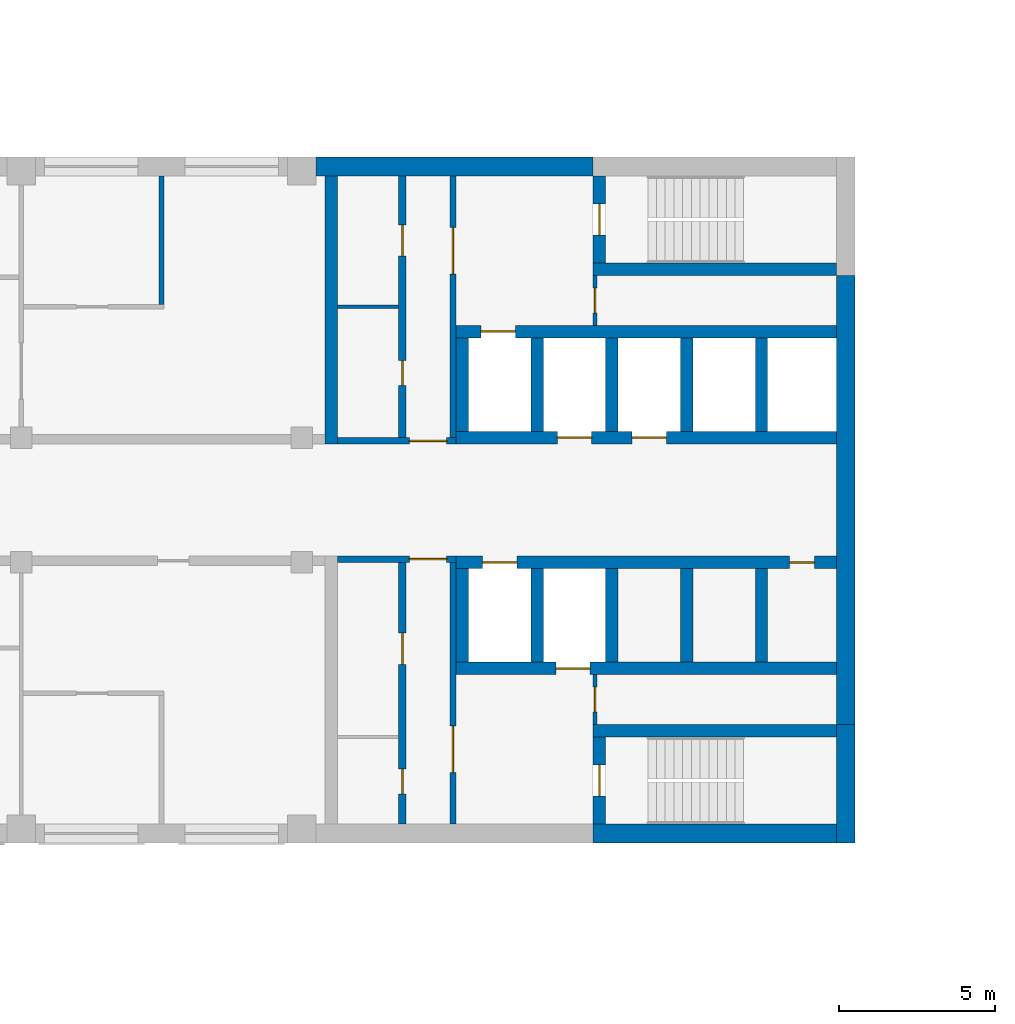
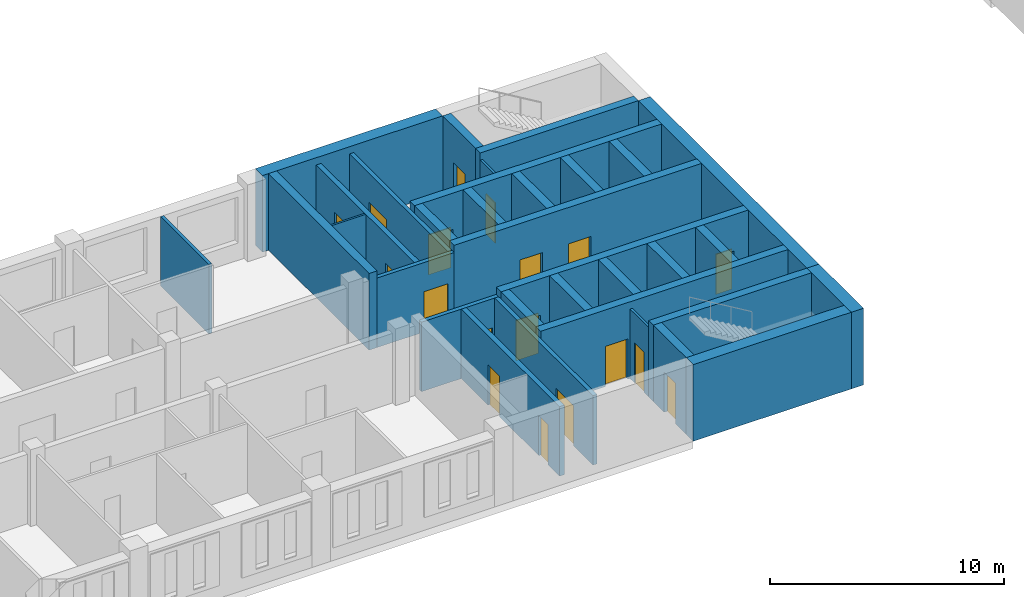
# One storey, part 6 of 12: 33 walls, 18 doors, 18 openings.
"""IFC4 building model written with IfcOpenShell, lengths in metres."""

from ifc_helpers import new_model, si_unit, direction, frame, frame_2d, origin, place, context, subcontext, project, spatial, rectangle, extrude, material, layer, layer_set, type_object, element, fill, save


model = new_model("IFC4")

# Units and contexts
model_context = context("Model", 3, precision=1e-05, world=origin(), true_north=direction((0.0, 1.0)))
body_context = subcontext(model_context, "Body", "Model", "MODEL_VIEW")
ifc_project = project(units=[si_unit("LENGTHUNIT", "METRE"), si_unit("AREAUNIT", "SQUARE_METRE"), si_unit("VOLUMEUNIT", "CUBIC_METRE"), si_unit("PLANEANGLEUNIT", "RADIAN"), si_unit("MASSUNIT", "GRAM", prefix="KILO")], contexts=[model_context])

# Site, building, storey
site_placement = place(None, origin())
site = spatial("IfcSite", under=ifc_project, at=site_placement, CompositionType="ELEMENT")
building_placement = place(site_placement, origin())
building = spatial("IfcBuilding", under=site, at=building_placement, Name="Skarvind Civic Tower", CompositionType="ELEMENT")
storey_placement = place(building_placement, frame((0.0, 0.0, 63.5)))
storey = spatial("IfcBuildingStorey", under=building, at=storey_placement, Name="L14", CompositionType="ELEMENT", Elevation=63.5)

# Wall, opening, door
ifc_material_1 = material(Name="Fire-rated masonry partition", Category="masonry")
ifc_layer_1 = layer(ifc_material_1, 0.199951171875)
ifc_layer_set_1 = layer_set([ifc_layer_1], Name="Core enclosure wall 200")
wall_type_1 = type_object("IfcWallType", Name="Core enclosure wall 200", PredefinedType="PARTITIONING", material=ifc_layer_set_1)
wall_1_placement = place(storey_placement, frame((95.199951171875, 126.10009765625, 0.0), z_axis=(0.0, 0.0, 1.0), x_axis=(-1.0, 0.0, 0.0)))
wall_1 = element("IfcWall", 1, at=wall_1_placement, inside=storey, type_object=wall_type_1, Name="Core wall C1", PredefinedType="PARTITIONING", context=body_context, shape_type="SweptSolid", body=[
    extrude(rectangle(XDim=3.800048828125, YDim=0.199951171875, at=frame_2d((1.89990234375, 0.0))), origin(), (0.0, 0.0, 1.0), 3.625),
])
opening_1_placement = place(wall_1_placement, frame((0.300048828125, 0.0, 0.0)))
opening_1 = element("IfcOpeningElement", 2, at=opening_1_placement, cuts=wall_1, Name="Opening D-L14-C1-05", PredefinedType="OPENING", context=body_context, shape_type="SweptSolid", body=[
    extrude(rectangle(XDim=1.199951171875, YDim=2.10009765625, at=frame_2d((0.60009765625, 1.050048828125))), frame((0.0, 0.10986328125, 0.0), z_axis=(0.0, -1.0, 0.0), x_axis=(1.0, 0.0, 0.0)), (0.0, 0.0, 1.0), 0.219970703125),
])
ifc_material_2 = material(Name="Fire-rated steel door", Category="steel")
door_type_1 = type_object("IfcDoorType", Name="Core lobby door 1200", OperationType="NOTDEFINED", PredefinedType="DOOR", material=ifc_material_2)
door_1_placement = place(opening_1_placement, origin())
door_1 = element("IfcDoor", 3, at=door_1_placement, inside=storey, type_object=door_type_1, Name="Fire door", OperationType="DOUBLE_DOOR_SINGLE_SWING", OverallHeight=2.10009765625, OverallWidth=1.199951171875, PredefinedType="DOOR", context=body_context, shape_type="SweptSolid", body=[
    extrude(rectangle(XDim=1.199951171875, YDim=2.10009765625, at=frame_2d((0.60009765625, 1.050048828125))), frame((0.0, 0.02490234375, 0.0), z_axis=(0.0, -1.0, 0.0), x_axis=(1.0, 0.0, 0.0)), (0.0, 0.0, 1.0), 0.050048828125),
])
fill(opening_1, door_1)

wall_2_placement = place(storey_placement, frame((95.10009765625, 117.60009765625, 0.0), z_axis=(0.0, 0.0, 1.0), x_axis=(0.0, 1.0, 0.0)))
wall_2 = element("IfcWall", 4, at=wall_2_placement, inside=storey, type_object=wall_type_1, Name="Core wall C1", PredefinedType="PARTITIONING", context=body_context, shape_type="SweptSolid", body=[
    extrude(rectangle(XDim=8.39990234375, YDim=0.199951171875, at=frame_2d((4.199951171875, 0.0))), origin(), (0.0, 0.0, 1.0), 3.625),
])
opening_2_placement = place(wall_2_placement, frame((1.64990234375, 0.0, 0.0)))
opening_2 = element("IfcOpeningElement", 5, at=opening_2_placement, cuts=wall_2, Name="Opening D-L14-C1-06", PredefinedType="OPENING", context=body_context, shape_type="SweptSolid", body=[
    extrude(rectangle(XDim=1.5, YDim=2.10009765625, at=frame_2d((0.75, 1.050048828125))), frame((0.0, 0.10986328125, 0.0), z_axis=(0.0, -1.0, 0.0), x_axis=(1.0, 0.0, 0.0)), (0.0, 0.0, 1.0), 0.219970703125),
])
door_type_2 = type_object("IfcDoorType", Name="Fire door 1500", OperationType="NOTDEFINED", PredefinedType="DOOR", material=ifc_material_2)
door_2_placement = place(opening_2_placement, origin())
door_2 = element("IfcDoor", 6, at=door_2_placement, inside=storey, type_object=door_type_2, Name="Fire door", OperationType="DOUBLE_DOOR_SINGLE_SWING", OverallHeight=2.10009765625, OverallWidth=1.5, PredefinedType="DOOR", context=body_context, shape_type="SweptSolid", body=[
    extrude(rectangle(XDim=1.5, YDim=2.10009765625, at=frame_2d((0.75, 1.050048828125))), frame((0.0, 0.02490234375, 0.0), z_axis=(0.0, -1.0, 0.0), x_axis=(1.0, 0.0, 0.0)), (0.0, 0.0, 1.0), 0.050048828125),
])
fill(opening_2, door_2)

wall_3_placement = place(storey_placement, frame((91.39990234375, 129.89990234375, 0.0), z_axis=(0.0, 0.0, 1.0), x_axis=(1.0, 0.0, 0.0)))
wall_3 = element("IfcWall", 7, at=wall_3_placement, inside=storey, type_object=wall_type_1, Name="Core wall C1", PredefinedType="PARTITIONING", context=body_context, shape_type="SweptSolid", body=[
    extrude(rectangle(XDim=3.800048828125, YDim=0.199951171875, at=frame_2d((1.89990234375, 0.0))), origin(), (0.0, 0.0, 1.0), 3.625),
])
opening_3_placement = place(wall_3_placement, frame((2.300048828125, 0.0, 0.0)))
opening_3 = element("IfcOpeningElement", 8, at=opening_3_placement, cuts=wall_3, Name="Opening D-L14-C1-11", PredefinedType="OPENING", context=body_context, shape_type="SweptSolid", body=[
    extrude(rectangle(XDim=1.199951171875, YDim=2.10009765625, at=frame_2d((0.60009765625, 1.050048828125))), frame((0.0, 0.10986328125, 0.0), z_axis=(0.0, -1.0, 0.0), x_axis=(1.0, 0.0, 0.0)), (0.0, 0.0, 1.0), 0.219970703125),
])
door_3_placement = place(opening_3_placement, origin())
door_3 = element("IfcDoor", 9, at=door_3_placement, inside=storey, type_object=door_type_1, Name="Fire door", OperationType="DOUBLE_DOOR_SINGLE_SWING", OverallHeight=2.10009765625, OverallWidth=1.199951171875, PredefinedType="DOOR", context=body_context, shape_type="SweptSolid", body=[
    extrude(rectangle(XDim=1.199951171875, YDim=2.10009765625, at=frame_2d((0.60009765625, 1.050048828125))), frame((0.0, 0.02490234375, 0.0), z_axis=(0.0, -1.0, 0.0), x_axis=(1.0, 0.0, 0.0)), (0.0, 0.0, 1.0), 0.050048828125),
])
fill(opening_3, door_3)

wall_4_placement = place(storey_placement, frame((95.10009765625, 130.0, 0.0), z_axis=(0.0, 0.0, 1.0), x_axis=(0.0, 1.0, 0.0)))
wall_4 = element("IfcWall", 10, at=wall_4_placement, inside=storey, type_object=wall_type_1, Name="Core wall C1", PredefinedType="PARTITIONING", context=body_context, shape_type="SweptSolid", body=[
    extrude(rectangle(XDim=8.39990234375, YDim=0.199951171875, at=frame_2d((4.199951171875, 0.0))), origin(), (0.0, 0.0, 1.0), 3.625),
])
opening_4_placement = place(wall_4_placement, frame((5.25, 0.0, 0.0)))
opening_4 = element("IfcOpeningElement", 11, at=opening_4_placement, cuts=wall_4, Name="Opening D-L14-C1-12", PredefinedType="OPENING", context=body_context, shape_type="SweptSolid", body=[
    extrude(rectangle(XDim=1.5, YDim=2.10009765625, at=frame_2d((0.75, 1.050048828125))), frame((0.0, 0.10986328125, 0.0), z_axis=(0.0, -1.0, 0.0), x_axis=(1.0, 0.0, 0.0)), (0.0, 0.0, 1.0), 0.219970703125),
])
door_4_placement = place(opening_4_placement, origin())
door_4 = element("IfcDoor", 12, at=door_4_placement, inside=storey, type_object=door_type_2, Name="Fire door", OperationType="DOUBLE_DOOR_SINGLE_SWING", OverallHeight=2.10009765625, OverallWidth=1.5, PredefinedType="DOOR", context=body_context, shape_type="SweptSolid", body=[
    extrude(rectangle(XDim=1.5, YDim=2.10009765625, at=frame_2d((0.75, 1.050048828125))), frame((0.0, 0.02490234375, 0.0), z_axis=(0.0, -1.0, 0.0), x_axis=(1.0, 0.0, 0.0)), (0.0, 0.0, 1.0), 0.050048828125),
])
fill(opening_4, door_4)

# Walls
ifc_material_3 = material(Name="Fire-rated plasterboard partition")
ifc_layer_2 = layer(ifc_material_3, 0.10009765625)
ifc_layer_set_2 = layer_set([ifc_layer_2], Name="Core partition wall 100")
wall_type_2 = type_object("IfcWallType", Name="Core partition wall 100", PredefinedType="PARTITIONING", material=ifc_layer_set_2)
wall_5_placement = place(storey_placement, frame((91.39990234375, 134.199951171875, 0.0), z_axis=(0.0, 0.0, 1.0), x_axis=(1.0, 0.0, 0.0)))
element("IfcWall", 13, at=wall_5_placement, inside=storey, type_object=wall_type_2, Name="Core wall C1", PredefinedType="PARTITIONING", context=body_context, shape_type="SweptSolid", body=[
    extrude(rectangle(XDim=1.9501953125, YDim=0.10009765625, at=frame_2d((0.97509765625, 0.0))), origin(), (0.0, 0.0, 1.0), 3.625),
])
ifc_material_4 = material(Name="Concrete C80", Category="concrete")
ifc_layer_3 = layer(ifc_material_4, 0.39990234375)
ifc_layer_set_3 = layer_set([ifc_layer_3], Name="Core wall 400 C80")
wall_type_3 = type_object("IfcWallType", Name="Core wall 400 C80", PredefinedType="SHEAR", material=ifc_layer_set_3)
wall_6_placement = place(storey_placement, frame((107.39990234375, 135.39990234375, 0.0), z_axis=(0.0, 0.0, 1.0), x_axis=(-1.0, 0.0, 0.0)))
element("IfcWall", 14, at=wall_6_placement, inside=storey, type_object=wall_type_3, Name="Core wall C1 south stair inner L14", PredefinedType="SHEAR", context=body_context, shape_type="SweptSolid", body=[
    extrude(rectangle(XDim=7.7998046875, YDim=0.39990234375, at=frame_2d((3.89990234375, 0.0))), origin(), (0.0, 0.0, 1.0), 4.0),
])

# Wall, opening, door
wall_7_placement = place(storey_placement, frame((99.800048828125, 138.39990234375, 0.0), z_axis=(0.0, 0.0, 1.0), x_axis=(0.0, -1.0, 0.0)))
wall_7 = element("IfcWall", 15, at=wall_7_placement, inside=storey, type_object=wall_type_3, Name="Core wall C1 south stair end L14", PredefinedType="SHEAR", context=body_context, shape_type="SweptSolid", body=[
    extrude(rectangle(XDim=2.7998046875, YDim=0.39990234375, at=frame_2d((1.39990234375, 0.0))), origin(), (0.0, 0.0, 1.0), 4.0),
])
opening_5_placement = place(wall_7_placement, frame((0.89990234375, 0.0, 0.0)))
opening_5 = element("IfcOpeningElement", 16, at=opening_5_placement, cuts=wall_7, Name="Opening D-L14-C1-13", PredefinedType="OPENING", context=body_context, shape_type="SweptSolid", body=[
    extrude(rectangle(XDim=1.0, YDim=2.10009765625, at=frame_2d((0.5, 1.050048828125))), frame((0.0, 0.2099609375, 0.0), z_axis=(0.0, -1.0, 0.0), x_axis=(1.0, 0.0, 0.0)), (0.0, 0.0, 1.0), 0.419921875),
])
door_type_3 = type_object("IfcDoorType", Name="Fire door 1000", OperationType="NOTDEFINED", PredefinedType="DOOR", material=ifc_material_2)
door_5_placement = place(opening_5_placement, origin())
door_5 = element("IfcDoor", 17, at=door_5_placement, inside=storey, type_object=door_type_3, Name="Fire door", OperationType="SINGLE_SWING_RIGHT", OverallHeight=2.10009765625, OverallWidth=1.0, PredefinedType="DOOR", context=body_context, shape_type="SweptSolid", body=[
    extrude(rectangle(XDim=1.0, YDim=2.10009765625, at=frame_2d((0.5, 1.050048828125))), frame((0.0, 0.02490234375, 0.0), z_axis=(0.0, -1.0, 0.0), x_axis=(1.0, 0.0, 0.0)), (0.0, 0.0, 1.0), 0.050048828125),
])
fill(opening_5, door_5)

# Wall
wall_8_placement = place(storey_placement, frame((107.39990234375, 120.60009765625, 0.0), z_axis=(0.0, 0.0, 1.0), x_axis=(-1.0, 0.0, 0.0)))
element("IfcWall", 18, at=wall_8_placement, inside=storey, type_object=wall_type_3, Name="Core wall C1 north stair inner L14", PredefinedType="SHEAR", context=body_context, shape_type="SweptSolid", body=[
    extrude(rectangle(XDim=7.7998046875, YDim=0.39990234375, at=frame_2d((3.89990234375, 0.0))), origin(), (0.0, 0.0, 1.0), 4.0),
])

# Wall, opening, door
wall_9_placement = place(storey_placement, frame((99.800048828125, 120.39990234375, 0.0), z_axis=(0.0, 0.0, 1.0), x_axis=(0.0, -1.0, 0.0)))
wall_9 = element("IfcWall", 19, at=wall_9_placement, inside=storey, type_object=wall_type_3, Name="Core wall C1 north stair end L14", PredefinedType="SHEAR", context=body_context, shape_type="SweptSolid", body=[
    extrude(rectangle(XDim=2.7998046875, YDim=0.39990234375, at=frame_2d((1.39990234375, 0.0))), origin(), (0.0, 0.0, 1.0), 4.0),
])
opening_6_placement = place(wall_9_placement, frame((0.89990234375, 0.0, 0.0)))
opening_6 = element("IfcOpeningElement", 20, at=opening_6_placement, cuts=wall_9, Name="Opening D-L14-C1-07", PredefinedType="OPENING", context=body_context, shape_type="SweptSolid", body=[
    extrude(rectangle(XDim=1.0, YDim=2.10009765625, at=frame_2d((0.5, 1.050048828125))), frame((0.0, 0.2099609375, 0.0), z_axis=(0.0, -1.0, 0.0), x_axis=(1.0, 0.0, 0.0)), (0.0, 0.0, 1.0), 0.419921875),
])
door_6_placement = place(opening_6_placement, origin())
door_6 = element("IfcDoor", 21, at=door_6_placement, inside=storey, type_object=door_type_3, Name="Fire door", OperationType="SINGLE_SWING_LEFT", OverallHeight=2.10009765625, OverallWidth=1.0, PredefinedType="DOOR", context=body_context, shape_type="SweptSolid", body=[
    extrude(rectangle(XDim=1.0, YDim=2.10009765625, at=frame_2d((0.5, 1.050048828125))), frame((0.0, 0.02490234375, 0.0), z_axis=(0.0, -1.0, 0.0), x_axis=(1.0, 0.0, 0.0)), (0.0, 0.0, 1.0), 0.050048828125),
])
fill(opening_6, door_6)

# Wall, openings, doors
wall_10_placement = place(storey_placement, frame((107.39990234375, 130.0, 0.0), z_axis=(0.0, 0.0, 1.0), x_axis=(-1.0, 0.0, 0.0)))
wall_10 = element("IfcWall", 22, at=wall_10_placement, inside=storey, type_object=wall_type_3, Name="Core wall C1 south lift row front L14", PredefinedType="SHEAR", context=body_context, shape_type="SweptSolid", body=[
    extrude(rectangle(XDim=12.199951171875, YDim=0.39990234375, at=frame_2d((6.10009765625, 0.0))), origin(), (0.0, 0.0, 1.0), 4.0),
])
opening_7_placement = place(wall_10_placement, frame((5.449951171875, 0.0, 0.0)))
opening_7 = element("IfcOpeningElement", 23, at=opening_7_placement, cuts=wall_10, Name="Opening LD16108", PredefinedType="OPENING", context=body_context, shape_type="SweptSolid", body=[
    extrude(rectangle(XDim=1.10009765625, YDim=2.10009765625, at=frame_2d((0.550048828125, 1.050048828125))), frame((0.0, 0.2099609375, 0.0), z_axis=(0.0, -1.0, 0.0), x_axis=(1.0, 0.0, 0.0)), (0.0, 0.0, 1.0), 0.419921875),
])
opening_8_placement = place(wall_10_placement, frame((7.85009765625, 0.0, 0.0)))
opening_8 = element("IfcOpeningElement", 24, at=opening_8_placement, cuts=wall_10, Name="Opening LD16109", PredefinedType="OPENING", context=body_context, shape_type="SweptSolid", body=[
    extrude(rectangle(XDim=1.10009765625, YDim=2.10009765625, at=frame_2d((0.550048828125, 1.050048828125))), frame((0.0, 0.2099609375, 0.0), z_axis=(0.0, -1.0, 0.0), x_axis=(1.0, 0.0, 0.0)), (0.0, 0.0, 1.0), 0.419921875),
])
ifc_material_5 = material(Name="Stainless steel landing door", Category="steel")
door_type_4 = type_object("IfcDoorType", Name="Lift landing door 1100", OperationType="DOUBLE_DOOR_SLIDING", PredefinedType="DOOR", material=ifc_material_5)
door_7_placement = place(opening_7_placement, origin())
door_7 = element("IfcDoor", 25, at=door_7_placement, inside=storey, type_object=door_type_4, Name="Lift landing door", OperationType="DOUBLE_DOOR_SLIDING", OverallHeight=2.10009765625, OverallWidth=1.10009765625, PredefinedType="DOOR", context=body_context, shape_type="SweptSolid", body=[
    extrude(rectangle(XDim=1.10009765625, YDim=2.10009765625, at=frame_2d((0.550048828125, 1.050048828125))), frame((0.0, 0.02490234375, 0.0), z_axis=(0.0, -1.0, 0.0), x_axis=(1.0, 0.0, 0.0)), (0.0, 0.0, 1.0), 0.050048828125),
])
fill(opening_7, door_7)
door_8_placement = place(opening_8_placement, origin())
door_8 = element("IfcDoor", 26, at=door_8_placement, inside=storey, type_object=door_type_4, Name="Lift landing door", OperationType="DOUBLE_DOOR_SLIDING", OverallHeight=2.10009765625, OverallWidth=1.10009765625, PredefinedType="DOOR", context=body_context, shape_type="SweptSolid", body=[
    extrude(rectangle(XDim=1.10009765625, YDim=2.10009765625, at=frame_2d((0.550048828125, 1.050048828125))), frame((0.0, 0.02490234375, 0.0), z_axis=(0.0, -1.0, 0.0), x_axis=(1.0, 0.0, 0.0)), (0.0, 0.0, 1.0), 0.050048828125),
])
fill(opening_8, door_8)

# Wall, opening, door
wall_11_placement = place(storey_placement, frame((107.39990234375, 133.39990234375, 0.0), z_axis=(0.0, 0.0, 1.0), x_axis=(-1.0, 0.0, 0.0)))
wall_11 = element("IfcWall", 27, at=wall_11_placement, inside=storey, type_object=wall_type_3, Name="Core wall C1 south lift row back L14", PredefinedType="SHEAR", context=body_context, shape_type="SweptSolid", body=[
    extrude(rectangle(XDim=12.199951171875, YDim=0.39990234375, at=frame_2d((6.10009765625, 0.0))), origin(), (0.0, 0.0, 1.0), 4.0),
])
opening_9_placement = place(wall_11_placement, frame((10.300048828125, 0.0, 0.0)))
opening_9 = element("IfcOpeningElement", 28, at=opening_9_placement, cuts=wall_11, Name="Opening LD16110", PredefinedType="OPENING", context=body_context, shape_type="SweptSolid", body=[
    extrude(rectangle(XDim=1.10009765625, YDim=2.10009765625, at=frame_2d((0.550048828125, 1.050048828125))), frame((0.0, 0.2099609375, 0.0), z_axis=(0.0, -1.0, 0.0), x_axis=(1.0, 0.0, 0.0)), (0.0, 0.0, 1.0), 0.419921875),
])
door_9_placement = place(opening_9_placement, origin())
door_9 = element("IfcDoor", 29, at=door_9_placement, inside=storey, type_object=door_type_4, Name="Lift landing door", OperationType="DOUBLE_DOOR_SLIDING", OverallHeight=2.10009765625, OverallWidth=1.10009765625, PredefinedType="DOOR", context=body_context, shape_type="SweptSolid", body=[
    extrude(rectangle(XDim=1.10009765625, YDim=2.10009765625, at=frame_2d((0.550048828125, 1.050048828125))), frame((0.0, 0.02490234375, 0.0), z_axis=(0.0, -1.0, 0.0), x_axis=(1.0, 0.0, 0.0)), (0.0, 0.0, 1.0), 0.050048828125),
])
fill(opening_9, door_9)

# Walls
for number, where, z_axis, x_axis, name in (
    (30, (105.0, 133.199951171875, 0.0), (0.0, 0.0, 1.0), (0.0, -1.0, 0.0), "Core wall C1 south lift row division 1 L14"),
    (31, (102.60009765625, 133.199951171875, 0.0), (0.0, 0.0, 1.0), (0.0, -1.0, 0.0), "Core wall C1 south lift row division 2 L14"),
    (32, (100.199951171875, 133.199951171875, 0.0), (0.0, 0.0, 1.0), (0.0, -1.0, 0.0), "Core wall C1 south lift row division 3 L14"),
    (33, (97.800048828125, 133.199951171875, 0.0), (0.0, 0.0, 1.0), (0.0, -1.0, 0.0), "Core wall C1 south lift row division 4 L14"),
    (34, (95.39990234375, 133.199951171875, 0.0), (0.0, 0.0, 1.0), (0.0, -1.0, 0.0), "Core wall C1 south lift row division 5 L14"),
):
    element("IfcWall", number, at=place(storey_placement, frame(where, z_axis=z_axis, x_axis=x_axis)), inside=storey, type_object=wall_type_3, Name=name, PredefinedType="SHEAR", context=body_context, shape_type="SweptSolid", body=[
        extrude(rectangle(XDim=3.0, YDim=0.39990234375, at=frame_2d((1.5, 0.0))), origin(), (0.0, 0.0, 1.0), 4.0),
    ])

# Wall, openings, doors
wall_12_placement = place(storey_placement, frame((107.39990234375, 126.0, 0.0), z_axis=(0.0, 0.0, 1.0), x_axis=(-1.0, 0.0, 0.0)))
wall_12 = element("IfcWall", 35, at=wall_12_placement, inside=storey, type_object=wall_type_3, Name="Core wall C1 north lift row front L14", PredefinedType="SHEAR", context=body_context, shape_type="SweptSolid", body=[
    extrude(rectangle(XDim=12.199951171875, YDim=0.39990234375, at=frame_2d((6.10009765625, 0.0))), origin(), (0.0, 0.0, 1.0), 4.0),
])
opening_10_placement = place(wall_12_placement, frame((10.25, 0.0, 0.0)))
opening_10 = element("IfcOpeningElement", 36, at=opening_10_placement, cuts=wall_12, Name="Opening LD16105", PredefinedType="OPENING", context=body_context, shape_type="SweptSolid", body=[
    extrude(rectangle(XDim=1.10009765625, YDim=2.10009765625, at=frame_2d((0.550048828125, 1.050048828125))), frame((0.0, 0.2099609375, 0.0), z_axis=(0.0, -1.0, 0.0), x_axis=(1.0, 0.0, 0.0)), (0.0, 0.0, 1.0), 0.419921875),
])
opening_11_placement = place(wall_12_placement, frame((0.699951171875, 0.0, 0.0)))
opening_11 = element("IfcOpeningElement", 37, at=opening_11_placement, cuts=wall_12, Name="Opening D-L14-C1-04", PredefinedType="OPENING", context=body_context, shape_type="SweptSolid", body=[
    extrude(rectangle(XDim=0.800048828125, YDim=2.10009765625, at=frame_2d((0.39990234375, 1.050048828125))), frame((0.0, 0.2099609375, 0.0), z_axis=(0.0, -1.0, 0.0), x_axis=(1.0, 0.0, 0.0)), (0.0, 0.0, 1.0), 0.419921875),
])
door_type_5 = type_object("IfcDoorType", Name="Core riser door 800", OperationType="NOTDEFINED", PredefinedType="DOOR", material=ifc_material_2)
door_10_placement = place(opening_11_placement, origin())
door_10 = element("IfcDoor", 38, at=door_10_placement, inside=storey, type_object=door_type_5, Name="Riser door", OperationType="SINGLE_SWING_LEFT", OverallHeight=2.10009765625, OverallWidth=0.800048828125, PredefinedType="DOOR", context=body_context, shape_type="SweptSolid", body=[
    extrude(rectangle(XDim=0.800048828125, YDim=2.10009765625, at=frame_2d((0.39990234375, 1.050048828125))), frame((0.0, 0.02490234375, 0.0), z_axis=(0.0, -1.0, 0.0), x_axis=(1.0, 0.0, 0.0)), (0.0, 0.0, 1.0), 0.050048828125),
])
fill(opening_11, door_10)
door_11_placement = place(opening_10_placement, origin())
door_11 = element("IfcDoor", 39, at=door_11_placement, inside=storey, type_object=door_type_4, Name="Lift landing door", OperationType="DOUBLE_DOOR_SLIDING", OverallHeight=2.10009765625, OverallWidth=1.10009765625, PredefinedType="DOOR", context=body_context, shape_type="SweptSolid", body=[
    extrude(rectangle(XDim=1.10009765625, YDim=2.10009765625, at=frame_2d((0.550048828125, 1.050048828125))), frame((0.0, 0.02490234375, 0.0), z_axis=(0.0, -1.0, 0.0), x_axis=(1.0, 0.0, 0.0)), (0.0, 0.0, 1.0), 0.050048828125),
])
fill(opening_10, door_11)

# Wall, opening, door
wall_13_placement = place(storey_placement, frame((107.39990234375, 122.60009765625, 0.0), z_axis=(0.0, 0.0, 1.0), x_axis=(-1.0, 0.0, 0.0)))
wall_13 = element("IfcWall", 40, at=wall_13_placement, inside=storey, type_object=wall_type_3, Name="Core wall C1 north lift row back L14", PredefinedType="SHEAR", context=body_context, shape_type="SweptSolid", body=[
    extrude(rectangle(XDim=12.199951171875, YDim=0.39990234375, at=frame_2d((6.10009765625, 0.0))), origin(), (0.0, 0.0, 1.0), 4.0),
])
opening_12_placement = place(wall_13_placement, frame((7.89990234375, 0.0, 0.0)))
opening_12 = element("IfcOpeningElement", 41, at=opening_12_placement, cuts=wall_13, Name="Opening LD16104", PredefinedType="OPENING", context=body_context, shape_type="SweptSolid", body=[
    extrude(rectangle(XDim=1.10009765625, YDim=2.10009765625, at=frame_2d((0.550048828125, 1.050048828125))), frame((0.0, 0.2099609375, 0.0), z_axis=(0.0, -1.0, 0.0), x_axis=(1.0, 0.0, 0.0)), (0.0, 0.0, 1.0), 0.419921875),
])
door_12_placement = place(opening_12_placement, origin())
door_12 = element("IfcDoor", 42, at=door_12_placement, inside=storey, type_object=door_type_4, Name="Lift landing door", OperationType="DOUBLE_DOOR_SLIDING", OverallHeight=2.10009765625, OverallWidth=1.10009765625, PredefinedType="DOOR", context=body_context, shape_type="SweptSolid", body=[
    extrude(rectangle(XDim=1.10009765625, YDim=2.10009765625, at=frame_2d((0.550048828125, 1.050048828125))), frame((0.0, 0.02490234375, 0.0), z_axis=(0.0, -1.0, 0.0), x_axis=(1.0, 0.0, 0.0)), (0.0, 0.0, 1.0), 0.050048828125),
])
fill(opening_12, door_12)

# Walls
for number, where, z_axis, x_axis, name in (
    (43, (105.0, 125.800048828125, 0.0), (0.0, 0.0, 1.0), (0.0, -1.0, 0.0), "Core wall C1 north lift row division 1 L14"),
    (44, (102.60009765625, 125.800048828125, 0.0), (0.0, 0.0, 1.0), (0.0, -1.0, 0.0), "Core wall C1 north lift row division 2 L14"),
    (45, (100.199951171875, 125.800048828125, 0.0), (0.0, 0.0, 1.0), (0.0, -1.0, 0.0), "Core wall C1 north lift row division 3 L14"),
    (46, (97.800048828125, 125.800048828125, 0.0), (0.0, 0.0, 1.0), (0.0, -1.0, 0.0), "Core wall C1 north lift row division 4 L14"),
    (47, (95.39990234375, 125.800048828125, 0.0), (0.0, 0.0, 1.0), (0.0, -1.0, 0.0), "Core wall C1 north lift row division 5 L14"),
):
    element("IfcWall", number, at=place(storey_placement, frame(where, z_axis=z_axis, x_axis=x_axis)), inside=storey, type_object=wall_type_3, Name=name, PredefinedType="SHEAR", context=body_context, shape_type="SweptSolid", body=[
        extrude(rectangle(XDim=3.0, YDim=0.39990234375, at=frame_2d((1.5, 0.0))), origin(), (0.0, 0.0, 1.0), 4.0),
    ])
wall_14_placement = place(storey_placement, frame((91.199951171875, 138.39990234375, 0.0), z_axis=(0.0, 0.0, 1.0), x_axis=(0.0, -1.0, 0.0)))
element("IfcWall", 48, at=wall_14_placement, inside=storey, type_object=wall_type_3, Name="Core wall C1 south inner face L14", PredefinedType="SHEAR", context=body_context, shape_type="SweptSolid", body=[
    extrude(rectangle(XDim=8.599853515625, YDim=0.39990234375, at=frame_2d((4.2998046875, 0.0))), origin(), (0.0, 0.0, 1.0), 4.0),
])
ifc_layer_4 = layer(ifc_material_4, 0.60009765625)
ifc_layer_set_4 = layer_set([ifc_layer_4], Name="Core wall 600 C80")
wall_type_4 = type_object("IfcWallType", Name="Core wall 600 C80", PredefinedType="SHEAR", material=ifc_layer_set_4)
wall_15_placement = place(storey_placement, frame((107.699951171875, 135.199951171875, 0.0), z_axis=(0.0, 0.0, 1.0), x_axis=(0.0, -1.0, 0.0)))
element("IfcWall", 49, at=wall_15_placement, inside=storey, type_object=wall_type_4, Name="Core wall C1 tip between the stairs L14", PredefinedType="SHEAR", context=body_context, shape_type="SweptSolid", body=[
    extrude(rectangle(XDim=14.39990234375, YDim=0.60009765625, at=frame_2d((7.199951171875, 0.0))), origin(), (0.0, 0.0, 1.0), 4.0),
])
wall_16_placement = place(storey_placement, frame((107.699951171875, 120.800048828125, 0.0), z_axis=(0.0, 0.0, 1.0), x_axis=(0.0, -1.0, 0.0)))
element("IfcWall", 50, at=wall_16_placement, inside=storey, type_object=wall_type_4, Name="Core wall C1 tip at the north stair L14", PredefinedType="SHEAR", context=body_context, shape_type="SweptSolid", body=[
    extrude(rectangle(XDim=3.800048828125, YDim=0.60009765625, at=frame_2d((1.89990234375, 0.0))), origin(), (0.0, 0.0, 1.0), 4.0),
])
wall_17_placement = place(storey_placement, frame((107.39990234375, 117.300048828125, 0.0), z_axis=(0.0, 0.0, 1.0), x_axis=(-1.0, 0.0, 0.0)))
element("IfcWall", 51, at=wall_17_placement, inside=storey, type_object=wall_type_4, Name="Core wall C1 north side at the stair L14", PredefinedType="SHEAR", context=body_context, shape_type="SweptSolid", body=[
    extrude(rectangle(XDim=7.7998046875, YDim=0.60009765625, at=frame_2d((3.89990234375, 0.0))), origin(), (0.0, 0.0, 1.0), 4.0),
])
wall_18_placement = place(storey_placement, frame((99.60009765625, 138.699951171875, 0.0), z_axis=(0.0, 0.0, 1.0), x_axis=(-1.0, 0.0, 0.0)))
element("IfcWall", 52, at=wall_18_placement, inside=storey, type_object=wall_type_4, Name="Core wall C1 south side L14", PredefinedType="SHEAR", context=body_context, shape_type="SweptSolid", body=[
    extrude(rectangle(XDim=8.900146484375, YDim=0.60009765625, at=frame_2d((4.4501953125, 0.0))), origin(), (0.0, 0.0, 1.0), 4.0),
])
ifc_material_6 = material(Name="Plasterboard partition on steel studs", Category="steel")
ifc_layer_5 = layer(ifc_material_6, 0.14990234375)
ifc_layer_set_5 = layer_set([ifc_layer_5], Name="PARTITION 150")
wall_type_5 = type_object("IfcWallType", Name="PARTITION 150", PredefinedType="PARTITIONING", material=ifc_layer_set_5)
wall_19_placement = place(storey_placement, frame((85.75, 134.27490234375, 0.0), z_axis=(0.0, 0.0, 1.0), x_axis=(0.0, 1.0, 0.0)))
element("IfcWall", 53, at=wall_19_placement, inside=storey, type_object=wall_type_5, Name="Partition 14.042", PredefinedType="PARTITIONING", context=body_context, shape_type="SweptSolid", body=[
    extrude(rectangle(XDim=4.125, YDim=0.14990234375, at=frame_2d((2.0625, 0.0))), origin(), (0.0, 0.0, 1.0), 3.625),
])

# Wall, opening, door
ifc_layer_6 = layer(ifc_material_1, 0.125)
ifc_layer_set_6 = layer_set([ifc_layer_6], Name="Riser wall 125")
wall_type_6 = type_object("IfcWallType", Name="Riser wall 125", PredefinedType="PARTITIONING", material=ifc_layer_set_6)
wall_20_placement = place(storey_placement, frame((99.66259765625, 120.800048828125, 0.0), z_axis=(0.0, 0.0, 1.0), x_axis=(0.0, 1.0, 0.0)))
wall_20 = element("IfcWall", 54, at=wall_20_placement, inside=storey, type_object=wall_type_6, Name="Core wall C1", PredefinedType="PARTITIONING", context=body_context, shape_type="SweptSolid", body=[
    extrude(rectangle(XDim=1.599853515625, YDim=0.125, at=frame_2d((0.7998046875, 0.0))), origin(), (0.0, 0.0, 1.0), 3.625),
])
opening_13_placement = place(wall_20_placement, frame((0.39990234375, 0.0, 0.0)))
opening_13 = element("IfcOpeningElement", 55, at=opening_13_placement, cuts=wall_20, Name="Opening D-L14-C1-08", PredefinedType="OPENING", context=body_context, shape_type="SweptSolid", body=[
    extrude(rectangle(XDim=0.800048828125, YDim=2.10009765625, at=frame_2d((0.39990234375, 1.050048828125))), frame((0.0, 0.072509765625, 0.0), z_axis=(0.0, -1.0, 0.0), x_axis=(1.0, 0.0, 0.0)), (0.0, 0.0, 1.0), 0.14501953125),
])
door_13_placement = place(opening_13_placement, origin())
door_13 = element("IfcDoor", 56, at=door_13_placement, inside=storey, type_object=door_type_5, Name="Riser door", OperationType="SINGLE_SWING_RIGHT", OverallHeight=2.10009765625, OverallWidth=0.800048828125, PredefinedType="DOOR", context=body_context, shape_type="SweptSolid", body=[
    extrude(rectangle(XDim=0.800048828125, YDim=2.10009765625, at=frame_2d((0.39990234375, 1.050048828125))), frame((0.0, 0.02490234375, 0.0), z_axis=(0.0, -1.0, 0.0), x_axis=(1.0, 0.0, 0.0)), (0.0, 0.0, 1.0), 0.050048828125),
])
fill(opening_13, door_13)

wall_21_placement = place(storey_placement, frame((99.66259765625, 133.60009765625, 0.0), z_axis=(0.0, 0.0, 1.0), x_axis=(0.0, 1.0, 0.0)))
wall_21 = element("IfcWall", 57, at=wall_21_placement, inside=storey, type_object=wall_type_6, Name="Core wall C1", PredefinedType="PARTITIONING", context=body_context, shape_type="SweptSolid", body=[
    extrude(rectangle(XDim=1.599853515625, YDim=0.125, at=frame_2d((0.7998046875, 0.0))), origin(), (0.0, 0.0, 1.0), 3.625),
])
opening_14_placement = place(wall_21_placement, frame((0.39990234375, 0.0, 0.0)))
opening_14 = element("IfcOpeningElement", 58, at=opening_14_placement, cuts=wall_21, Name="Opening D-L14-C1-14", PredefinedType="OPENING", context=body_context, shape_type="SweptSolid", body=[
    extrude(rectangle(XDim=0.800048828125, YDim=2.10009765625, at=frame_2d((0.39990234375, 1.050048828125))), frame((0.0, 0.072509765625, 0.0), z_axis=(0.0, -1.0, 0.0), x_axis=(1.0, 0.0, 0.0)), (0.0, 0.0, 1.0), 0.14501953125),
])
door_14_placement = place(opening_14_placement, origin())
door_14 = element("IfcDoor", 59, at=door_14_placement, inside=storey, type_object=door_type_5, Name="Riser door", OperationType="SINGLE_SWING_LEFT", OverallHeight=2.10009765625, OverallWidth=0.800048828125, PredefinedType="DOOR", context=body_context, shape_type="SweptSolid", body=[
    extrude(rectangle(XDim=0.800048828125, YDim=2.10009765625, at=frame_2d((0.39990234375, 1.050048828125))), frame((0.0, 0.02490234375, 0.0), z_axis=(0.0, -1.0, 0.0), x_axis=(1.0, 0.0, 0.0)), (0.0, 0.0, 1.0), 0.050048828125),
])
fill(opening_14, door_14)

# Wall, openings, doors
ifc_layer_7 = layer(ifc_material_1, 0.25)
ifc_layer_set_7 = layer_set([ifc_layer_7], Name="Service block wall 250")
wall_type_7 = type_object("IfcWallType", Name="Service block wall 250", PredefinedType="PARTITIONING", material=ifc_layer_set_7)
wall_22_placement = place(storey_placement, frame((93.47509765625, 117.60009765625, 0.0), z_axis=(0.0, 0.0, 1.0), x_axis=(0.0, 1.0, 0.0)))
wall_22 = element("IfcWall", 60, at=wall_22_placement, inside=storey, type_object=wall_type_7, Name="Core wall C1", PredefinedType="PARTITIONING", context=body_context, shape_type="SweptSolid", body=[
    extrude(rectangle(XDim=8.39990234375, YDim=0.25, at=frame_2d((4.199951171875, 0.0))), origin(), (0.0, 0.0, 1.0), 3.625),
])
opening_15_placement = place(wall_22_placement, frame((5.125, 0.0, 0.0)))
opening_15 = element("IfcOpeningElement", 61, at=opening_15_placement, cuts=wall_22, Name="Opening D-L14-C1-09", PredefinedType="OPENING", context=body_context, shape_type="SweptSolid", body=[
    extrude(rectangle(XDim=1.0, YDim=2.10009765625, at=frame_2d((0.5, 1.050048828125))), frame((0.0, 0.135009765625, 0.0), z_axis=(0.0, -1.0, 0.0), x_axis=(1.0, 0.0, 0.0)), (0.0, 0.0, 1.0), 0.27001953125),
])
opening_16_placement = place(wall_22_placement, frame((0.97509765625, 0.0, 0.0)))
opening_16 = element("IfcOpeningElement", 62, at=opening_16_placement, cuts=wall_22, Name="Opening D-L14-C1-10", PredefinedType="OPENING", context=body_context, shape_type="SweptSolid", body=[
    extrude(rectangle(XDim=0.800048828125, YDim=2.10009765625, at=frame_2d((0.39990234375, 1.050048828125))), frame((0.0, 0.135009765625, 0.0), z_axis=(0.0, -1.0, 0.0), x_axis=(1.0, 0.0, 0.0)), (0.0, 0.0, 1.0), 0.27001953125),
])
door_15_placement = place(opening_16_placement, origin())
door_15 = element("IfcDoor", 63, at=door_15_placement, inside=storey, type_object=door_type_5, Name="Riser door", OperationType="SINGLE_SWING_RIGHT", OverallHeight=2.10009765625, OverallWidth=0.800048828125, PredefinedType="DOOR", context=body_context, shape_type="SweptSolid", body=[
    extrude(rectangle(XDim=0.800048828125, YDim=2.10009765625, at=frame_2d((0.39990234375, 1.050048828125))), frame((0.0, 0.02490234375, 0.0), z_axis=(0.0, -1.0, 0.0), x_axis=(1.0, 0.0, 0.0)), (0.0, 0.0, 1.0), 0.050048828125),
])
fill(opening_16, door_15)
door_16_placement = place(opening_15_placement, origin())
door_16 = element("IfcDoor", 64, at=door_16_placement, inside=storey, type_object=door_type_3, Name="Fire door", OperationType="SINGLE_SWING_LEFT", OverallHeight=2.10009765625, OverallWidth=1.0, PredefinedType="DOOR", context=body_context, shape_type="SweptSolid", body=[
    extrude(rectangle(XDim=1.0, YDim=2.10009765625, at=frame_2d((0.5, 1.050048828125))), frame((0.0, 0.02490234375, 0.0), z_axis=(0.0, -1.0, 0.0), x_axis=(1.0, 0.0, 0.0)), (0.0, 0.0, 1.0), 0.050048828125),
])
fill(opening_15, door_16)

wall_23_placement = place(storey_placement, frame((93.47509765625, 130.0, 0.0), z_axis=(0.0, 0.0, 1.0), x_axis=(0.0, 1.0, 0.0)))
wall_23 = element("IfcWall", 65, at=wall_23_placement, inside=storey, type_object=wall_type_7, Name="Core wall C1", PredefinedType="PARTITIONING", context=body_context, shape_type="SweptSolid", body=[
    extrude(rectangle(XDim=8.39990234375, YDim=0.25, at=frame_2d((4.199951171875, 0.0))), origin(), (0.0, 0.0, 1.0), 3.625),
])
opening_17_placement = place(wall_23_placement, frame((1.675048828125, 0.0, 0.0)))
opening_17 = element("IfcOpeningElement", 66, at=opening_17_placement, cuts=wall_23, Name="Opening D-L14-C1-15", PredefinedType="OPENING", context=body_context, shape_type="SweptSolid", body=[
    extrude(rectangle(XDim=0.800048828125, YDim=2.10009765625, at=frame_2d((0.39990234375, 1.050048828125))), frame((0.0, 0.135009765625, 0.0), z_axis=(0.0, -1.0, 0.0), x_axis=(1.0, 0.0, 0.0)), (0.0, 0.0, 1.0), 0.27001953125),
])
opening_18_placement = place(wall_23_placement, frame((5.824951171875, 0.0, 0.0)))
opening_18 = element("IfcOpeningElement", 67, at=opening_18_placement, cuts=wall_23, Name="Opening D-L14-C1-16", PredefinedType="OPENING", context=body_context, shape_type="SweptSolid", body=[
    extrude(rectangle(XDim=1.0, YDim=2.10009765625, at=frame_2d((0.5, 1.050048828125))), frame((0.0, 0.135009765625, 0.0), z_axis=(0.0, -1.0, 0.0), x_axis=(1.0, 0.0, 0.0)), (0.0, 0.0, 1.0), 0.27001953125),
])
door_17_placement = place(opening_17_placement, origin())
door_17 = element("IfcDoor", 68, at=door_17_placement, inside=storey, type_object=door_type_5, Name="Riser door", OperationType="SINGLE_SWING_RIGHT", OverallHeight=2.10009765625, OverallWidth=0.800048828125, PredefinedType="DOOR", context=body_context, shape_type="SweptSolid", body=[
    extrude(rectangle(XDim=0.800048828125, YDim=2.10009765625, at=frame_2d((0.39990234375, 1.050048828125))), frame((0.0, 0.02490234375, 0.0), z_axis=(0.0, -1.0, 0.0), x_axis=(1.0, 0.0, 0.0)), (0.0, 0.0, 1.0), 0.050048828125),
])
fill(opening_17, door_17)
door_18_placement = place(opening_18_placement, origin())
door_18 = element("IfcDoor", 69, at=door_18_placement, inside=storey, type_object=door_type_3, Name="Fire door", OperationType="SINGLE_SWING_LEFT", OverallHeight=2.10009765625, OverallWidth=1.0, PredefinedType="DOOR", context=body_context, shape_type="SweptSolid", body=[
    extrude(rectangle(XDim=1.0, YDim=2.10009765625, at=frame_2d((0.5, 1.050048828125))), frame((0.0, 0.02490234375, 0.0), z_axis=(0.0, -1.0, 0.0), x_axis=(1.0, 0.0, 0.0)), (0.0, 0.0, 1.0), 0.050048828125),
])
fill(opening_18, door_18)

save(model, "model.ifc")
